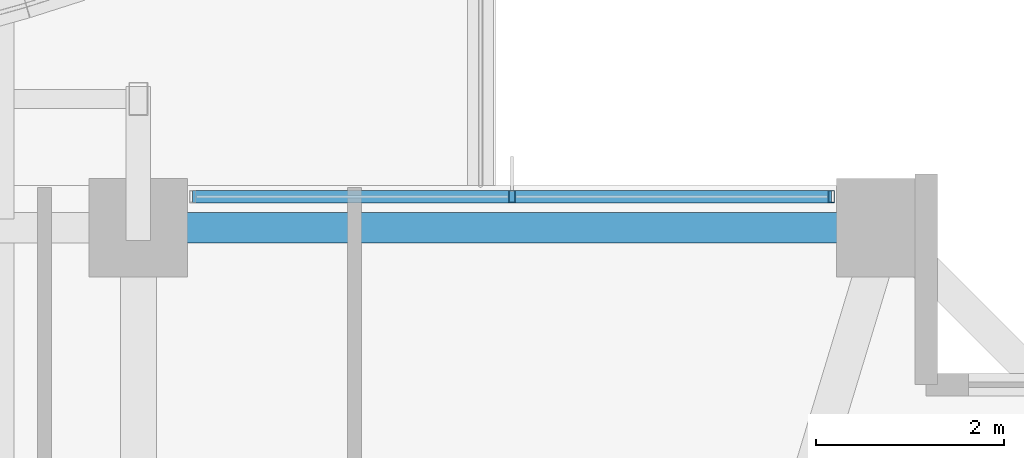
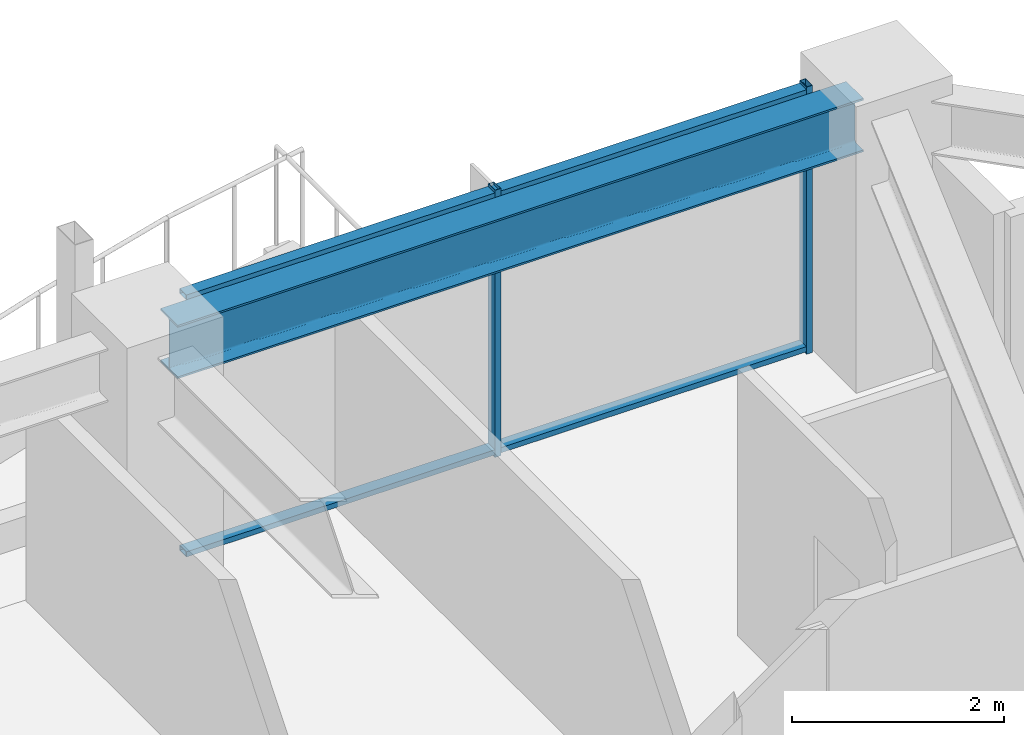
# One storey, part 20 of 34: 4 members, 1 beam, 1 element without a shape of its own.
"""IFC4 building model written with IfcOpenShell, lengths in metres."""

from ifc_helpers import new_model, si_unit, direction, frame, origin, origin_2d, place, context, subcontext, project, spatial, hollow_rectangle, i_section, extrude, material, material_profile, profile_set, type_object, element, aggregate, save


model = new_model("IFC4")

# Units and contexts
model_context = context("Model", 3, precision=1e-05, world=origin(), true_north=direction((0.0, 1.0)))
body_context = subcontext(model_context, "Body", "Model", "MODEL_VIEW")
ifc_project = project(units=[si_unit("LENGTHUNIT", "METRE"), si_unit("AREAUNIT", "SQUARE_METRE"), si_unit("VOLUMEUNIT", "CUBIC_METRE"), si_unit("PLANEANGLEUNIT", "RADIAN"), si_unit("MASSUNIT", "GRAM", prefix="KILO")], contexts=[model_context])

# Site, building, storey
site_placement = place(None, origin())
site = spatial("IfcSite", under=ifc_project, at=site_placement, CompositionType="ELEMENT")
building_placement = place(site_placement, origin())
building = spatial("IfcBuilding", under=site, at=building_placement, Name="Kolvaren Belvedere", CompositionType="ELEMENT")
storey_placement = place(building_placement, frame((0.0, 0.0, 111.800048828125)))
storey = spatial("IfcBuildingStorey", under=building, at=storey_placement, Name="L32", CompositionType="ELEMENT", Elevation=111.800048828125)

# Beam
ifc_material_1 = material(Name="Structural steel ASTM A992 Grade 50", Category="steel")
ifc_material_profile_1 = material_profile(ifc_material_1, i_section(OverallWidth=0.324951171875, OverallDepth=0.615966796875, WebThickness=0.013916015625, FlangeThickness=0.021484375, FilletRadius=0.02001953125, at=origin_2d()), Name="W24X117")
ifc_profile_set_1 = profile_set([ifc_material_profile_1], Name="Structural steel ASTM A992 Grade 50")
beam_type = type_object("IfcBeamType", Name="BM-SPAN-W24X117", PredefinedType="SPANDREL", material=ifc_profile_set_1)
beam_placement = place(storey_placement, frame((12.313720703125, 18.64990234375, 2.77197265625), z_axis=(-1.0, 0.0, 0.0), x_axis=(0.0, -1.0, 0.0)))
element("IfcBeam", 1, at=beam_placement, inside=storey, type_object=beam_type, Name="L32 Perimeter Spandrel N4-N3", PredefinedType="SPANDREL", context=body_context, shape_type="SweptSolid", body=[
    extrude(i_section(OverallWidth=0.324951171875, OverallDepth=0.615966796875, WebThickness=0.013916015625, FlangeThickness=0.021484375, FilletRadius=0.02001953125, at=origin_2d()), origin(), (0.0, 0.0, 1.0), 7.4775390625),
])

# Curtain wall, members
ifc_material_2 = material(Name="Anodised pale-metal aluminium AA 6063-T6", Category="aluminium")
curtain_wall_type = type_object("IfcCurtainWallType", Name="CW-Z3-WAIST", PredefinedType="NOTDEFINED", material=ifc_material_2)
curtain_wall_placement = place(storey_placement, origin())
curtain_wall = element("IfcCurtainWall", 2, at=curtain_wall_placement, inside=storey, type_object=curtain_wall_type, Name="L32 Unitised Curtain Wall FCW-L32-N2", PredefinedType="NOTDEFINED")
ifc_material_3 = material(Name="Anodised pale-metal aluminium AA 6063-T6", Category="aluminium")
ifc_material_profile_2 = material_profile(ifc_material_3, hollow_rectangle(XDim=0.06494140625, YDim=0.1298828125, WallThickness=0.00390625, at=origin_2d()), Name="ALU-MUL-130X65")
ifc_profile_set_2 = profile_set([ifc_material_profile_2], Name="Anodised pale-metal aluminium AA 6063-T6")
member_type_1 = type_object("IfcMemberType", Name="CW-MUL-130", PredefinedType="MULLION", material=ifc_profile_set_2)
member_1_placement = place(storey_placement, frame((8.574951171875, 18.97998046875, 0.0), z_axis=(0.0, 0.0, 1.0), x_axis=(1.0, 0.0, 0.0)))
member_1 = element("IfcMember", 3, at=member_1_placement, type_object=member_type_1, Name="FCW-L32-N2 Unitised Mullion 2", PredefinedType="MULLION", context=body_context, shape_type="SweptSolid", body=[
    extrude(hollow_rectangle(XDim=0.06494140625, YDim=0.1298828125, WallThickness=0.00390625, at=origin_2d()), origin(), (0.0, 0.0, 1.0), 3.079833984375),
])
member_2_placement = place(storey_placement, frame((11.972412109375, 18.97998046875, 0.0), z_axis=(0.0, 0.0, 1.0), x_axis=(1.0, 0.0, 0.0)))
member_2 = element("IfcMember", 4, at=member_2_placement, type_object=member_type_1, Name="FCW-L32-N2 Unitised Mullion 3", PredefinedType="MULLION", context=body_context, shape_type="SweptSolid", body=[
    extrude(hollow_rectangle(XDim=0.06494140625, YDim=0.1298828125, WallThickness=0.00390625, at=origin_2d()), origin(), (0.0, 0.0, 1.0), 3.079833984375),
])
ifc_material_4 = material(Name="Anodised pale-metal aluminium AA 6063-T6", Category="aluminium")
ifc_material_profile_3 = material_profile(ifc_material_4, hollow_rectangle(XDim=0.06005859375, YDim=0.1298828125, WallThickness=0.00390625, at=origin_2d()), Name="ALU-TRN-130X60")
ifc_profile_set_3 = profile_set([ifc_material_profile_3], Name="Anodised pale-metal aluminium AA 6063-T6")
member_type_2 = type_object("IfcMemberType", Name="CW-TRN-130", PredefinedType="USERDEFINED", material=ifc_profile_set_3)
member_3_placement = place(storey_placement, frame((5.177490234375, 18.97998046875, 0.06005859375), z_axis=(1.0, 0.0, 0.0), x_axis=(0.0, 0.0, 1.0)))
member_3 = element("IfcMember", 5, at=member_3_placement, type_object=member_type_2, Name="FCW-L32-N2 Sill Transom", ObjectType="TRANSOM", PredefinedType="USERDEFINED", context=body_context, shape_type="SweptSolid", body=[
    extrude(hollow_rectangle(XDim=0.06005859375, YDim=0.1298828125, WallThickness=0.00390625, at=origin_2d()), origin(), (0.0, 0.0, 1.0), 6.794921875),
])
member_4_placement = place(storey_placement, frame((5.177490234375, 18.97998046875, 3.02001953125), z_axis=(1.0, 0.0, 0.0), x_axis=(0.0, 0.0, 1.0)))
member_4 = element("IfcMember", 6, at=member_4_placement, type_object=member_type_2, Name="FCW-L32-N2 Head Transom", ObjectType="TRANSOM", PredefinedType="USERDEFINED", context=body_context, shape_type="SweptSolid", body=[
    extrude(hollow_rectangle(XDim=0.06005859375, YDim=0.1298828125, WallThickness=0.00390625, at=origin_2d()), origin(), (0.0, 0.0, 1.0), 6.794921875),
])
aggregate(curtain_wall, [member_1, member_2, member_3, member_4])

save(model, "model.ifc")
